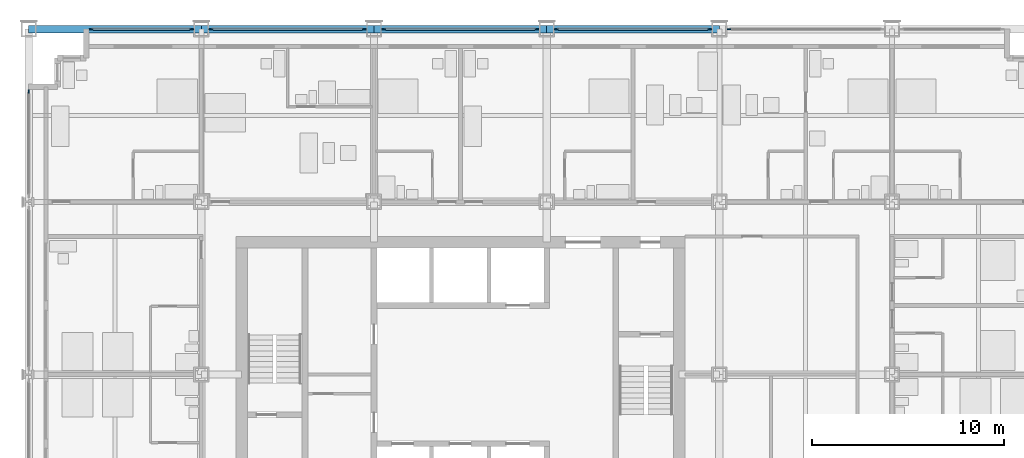
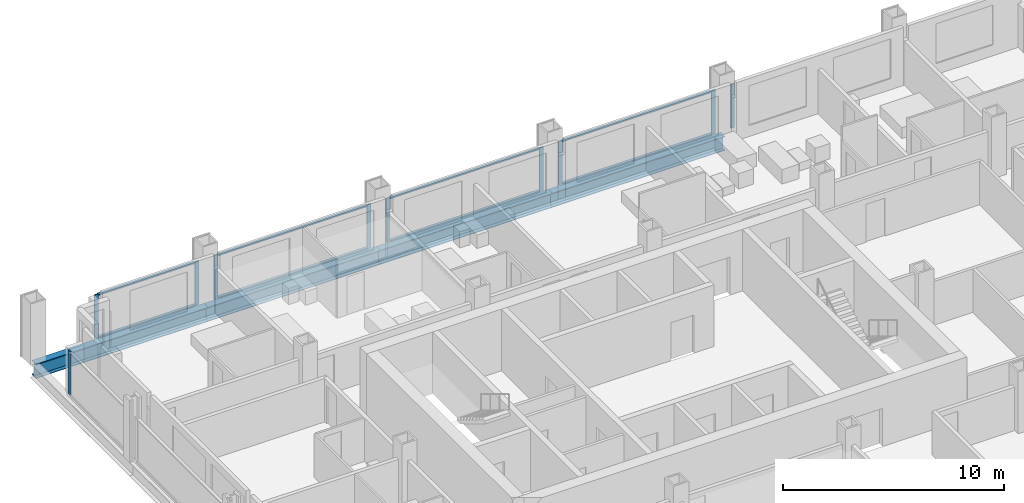
# One storey, part 7 of 18: 18 members, 4 beams, 6 elements without a shape of their own.
"""IFC4 building model written with IfcOpenShell, lengths in metres."""

from ifc_helpers import new_model, si_unit, direction, frame, origin, origin_2d, place, context, subcontext, project, spatial, rectangle, i_section, extrude, material, material_profile, profile_set, type_object, element, aggregate, save


model = new_model("IFC4")

# Units and contexts
model_context = context("Model", 3, precision=1e-05, world=origin(), true_north=direction((0.0, 1.0)))
body_context = subcontext(model_context, "Body", "Model", "MODEL_VIEW")
ifc_project = project(units=[si_unit("LENGTHUNIT", "METRE"), si_unit("AREAUNIT", "SQUARE_METRE"), si_unit("VOLUMEUNIT", "CUBIC_METRE"), si_unit("PLANEANGLEUNIT", "RADIAN"), si_unit("MASSUNIT", "GRAM", prefix="KILO")], contexts=[model_context])

# Site, building, storey
site_placement = place(None, origin())
site = spatial("IfcSite", under=ifc_project, at=site_placement, CompositionType="ELEMENT")
building_placement = place(site_placement, origin())
building = spatial("IfcBuilding", under=site, at=building_placement, Name="Loomwork Tower", CompositionType="ELEMENT")
storey_placement = place(building_placement, frame((0.0, 0.0, 79.0)))
storey = spatial("IfcBuildingStorey", under=building, at=storey_placement, Name="L20", CompositionType="ELEMENT", Elevation=79.0)

# Curtain wall, members
ifc_material_1 = material(Name="Aluminium curtain wall frame", Category="aluminium")
curtain_wall_type = type_object("IfcCurtainWallType", Name="Outer skin glazing hotel", PredefinedType="NOTDEFINED", material=ifc_material_1)
curtain_wall_1_placement = place(storey_placement, origin())
curtain_wall_1 = element("IfcCurtainWall", 1, at=curtain_wall_1_placement, inside=storey, type_object=curtain_wall_type, Name="Outer skin glazing hotel cw/N-0", PredefinedType="NOTDEFINED")
ifc_material_2 = material(Name="Aluminium curtain wall frame", Category="aluminium")
ifc_material_profile_1 = material_profile(ifc_material_2, rectangle(XDim=0.06494140625, YDim=0.199951171875, at=origin_2d()), Name="AL 65x200")
ifc_profile_set_1 = profile_set([ifc_material_profile_1], Name="Aluminium curtain wall frame")
member_type_1 = type_object("IfcMemberType", Name="Outer skin glazing hotel mullion", PredefinedType="MULLION", material=ifc_profile_set_1)
member_1_placement = place(storey_placement, frame((8.5, 36.0, 0.0), z_axis=(0.0, 0.0, 1.0), x_axis=(0.0, -1.0, 0.0)))
member_1 = element("IfcMember", 2, at=member_1_placement, type_object=member_type_1, Name="CW1 mullion 1", PredefinedType="MULLION", context=body_context, shape_type="SweptSolid", body=[
    extrude(rectangle(XDim=0.06494140625, YDim=0.199951171875, at=origin_2d()), origin(), (0.0, 0.0, 1.0), 2.420166015625),
])
member_2_placement = place(storey_placement, frame((3.25, 36.0, 0.0), z_axis=(0.0, 0.0, 1.0), x_axis=(0.0, -1.0, 0.0)))
member_2 = element("IfcMember", 3, at=member_2_placement, type_object=member_type_1, Name="CW1 mullion 2", PredefinedType="MULLION", context=body_context, shape_type="SweptSolid", body=[
    extrude(rectangle(XDim=0.06494140625, YDim=0.199951171875, at=origin_2d()), origin(), (0.0, 0.0, 1.0), 2.420166015625),
])

curtain_wall_2_placement = place(storey_placement, origin())
curtain_wall_2 = element("IfcCurtainWall", 4, at=curtain_wall_2_placement, inside=storey, type_object=curtain_wall_type, Name="Outer skin glazing hotel cw/N-9", PredefinedType="NOTDEFINED")
member_3_placement = place(storey_placement, frame((17.5, 36.0, 0.0), z_axis=(0.0, 0.0, 1.0), x_axis=(0.0, -1.0, 0.0)))
member_3 = element("IfcMember", 5, at=member_3_placement, type_object=member_type_1, Name="CW1 mullion 1", PredefinedType="MULLION", context=body_context, shape_type="SweptSolid", body=[
    extrude(rectangle(XDim=0.06494140625, YDim=0.199951171875, at=origin_2d()), origin(), (0.0, 0.0, 1.0), 2.420166015625),
])
member_4_placement = place(storey_placement, frame((9.5, 36.0, 0.0), z_axis=(0.0, 0.0, 1.0), x_axis=(0.0, -1.0, 0.0)))
member_4 = element("IfcMember", 6, at=member_4_placement, type_object=member_type_1, Name="CW1 mullion 2", PredefinedType="MULLION", context=body_context, shape_type="SweptSolid", body=[
    extrude(rectangle(XDim=0.06494140625, YDim=0.199951171875, at=origin_2d()), origin(), (0.0, 0.0, 1.0), 2.420166015625),
])

curtain_wall_3_placement = place(storey_placement, origin())
curtain_wall_3 = element("IfcCurtainWall", 7, at=curtain_wall_3_placement, inside=storey, type_object=curtain_wall_type, Name="Outer skin glazing hotel cw/N-18", PredefinedType="NOTDEFINED")
member_5_placement = place(storey_placement, frame((26.5, 36.0, 0.0), z_axis=(0.0, 0.0, 1.0), x_axis=(0.0, -1.0, 0.0)))
member_5 = element("IfcMember", 8, at=member_5_placement, type_object=member_type_1, Name="CW1 mullion 1", PredefinedType="MULLION", context=body_context, shape_type="SweptSolid", body=[
    extrude(rectangle(XDim=0.06494140625, YDim=0.199951171875, at=origin_2d()), origin(), (0.0, 0.0, 1.0), 2.420166015625),
])
member_6_placement = place(storey_placement, frame((18.5, 36.0, 0.0), z_axis=(0.0, 0.0, 1.0), x_axis=(0.0, -1.0, 0.0)))
member_6 = element("IfcMember", 9, at=member_6_placement, type_object=member_type_1, Name="CW1 mullion 2", PredefinedType="MULLION", context=body_context, shape_type="SweptSolid", body=[
    extrude(rectangle(XDim=0.06494140625, YDim=0.199951171875, at=origin_2d()), origin(), (0.0, 0.0, 1.0), 2.420166015625),
])

curtain_wall_4_placement = place(storey_placement, origin())
curtain_wall_4 = element("IfcCurtainWall", 10, at=curtain_wall_4_placement, inside=storey, type_object=curtain_wall_type, Name="Outer skin glazing hotel cw/N-27", PredefinedType="NOTDEFINED")
member_7_placement = place(storey_placement, frame((35.5, 36.0, 0.0), z_axis=(0.0, 0.0, 1.0), x_axis=(0.0, -1.0, 0.0)))
member_7 = element("IfcMember", 11, at=member_7_placement, type_object=member_type_1, Name="CW1 mullion 1", PredefinedType="MULLION", context=body_context, shape_type="SweptSolid", body=[
    extrude(rectangle(XDim=0.06494140625, YDim=0.199951171875, at=origin_2d()), origin(), (0.0, 0.0, 1.0), 2.420166015625),
])
member_8_placement = place(storey_placement, frame((27.5, 36.0, 0.0), z_axis=(0.0, 0.0, 1.0), x_axis=(0.0, -1.0, 0.0)))
member_8 = element("IfcMember", 12, at=member_8_placement, type_object=member_type_1, Name="CW1 mullion 2", PredefinedType="MULLION", context=body_context, shape_type="SweptSolid", body=[
    extrude(rectangle(XDim=0.06494140625, YDim=0.199951171875, at=origin_2d()), origin(), (0.0, 0.0, 1.0), 2.420166015625),
])

# Curtain wall, member
curtain_wall_5_placement = place(storey_placement, origin())
curtain_wall_5 = element("IfcCurtainWall", 13, at=curtain_wall_5_placement, inside=storey, type_object=curtain_wall_type, Name="Outer skin glazing hotel cw/N-36", PredefinedType="NOTDEFINED")
member_9_placement = place(storey_placement, frame((36.5, 36.0, 0.0), z_axis=(0.0, 0.0, 1.0), x_axis=(0.0, -1.0, 0.0)))
member_9 = element("IfcMember", 14, at=member_9_placement, type_object=member_type_1, Name="CW1 mullion 2", PredefinedType="MULLION", context=body_context, shape_type="SweptSolid", body=[
    extrude(rectangle(XDim=0.06494140625, YDim=0.199951171875, at=origin_2d()), origin(), (0.0, 0.0, 1.0), 2.420166015625),
])
aggregate(curtain_wall_5, [member_9])

curtain_wall_6_placement = place(storey_placement, origin())
curtain_wall_6 = element("IfcCurtainWall", 15, at=curtain_wall_6_placement, inside=storey, type_object=curtain_wall_type, Name="Outer skin glazing hotel cw/W-27", PredefinedType="NOTDEFINED")
member_10_placement = place(storey_placement, frame((0.0, 32.75, 0.0), z_axis=(0.0, 0.0, 1.0), x_axis=(1.0, 0.0, 0.0)))
member_10 = element("IfcMember", 16, at=member_10_placement, type_object=member_type_1, Name="CW1 mullion 1", PredefinedType="MULLION", context=body_context, shape_type="SweptSolid", body=[
    extrude(rectangle(XDim=0.06494140625, YDim=0.199951171875, at=origin_2d()), origin(), (0.0, 0.0, 1.0), 2.420166015625),
])
aggregate(curtain_wall_6, [member_10])

# Member
ifc_material_3 = material(Name="Aluminium curtain wall frame", Category="aluminium")
ifc_material_profile_2 = material_profile(ifc_material_3, rectangle(XDim=0.14990234375, YDim=0.06494140625, at=origin_2d()), Name="AL 65x150")
ifc_profile_set_2 = profile_set([ifc_material_profile_2], Name="Aluminium curtain wall frame")
member_type_2 = type_object("IfcMemberType", Name="Outer skin glazing hotel transom", PredefinedType="USERDEFINED", material=ifc_profile_set_2)
member_11_placement = place(storey_placement, frame((8.39990234375, 36.0, 0.032470703125), z_axis=(-1.0, 0.0, 0.0), x_axis=(0.0, -1.0, 0.0)))
member_11 = element("IfcMember", 17, at=member_11_placement, type_object=member_type_2, Name="CW1 transom 1.1", ObjectType="TRANSOM", PredefinedType="USERDEFINED", context=body_context, shape_type="SweptSolid", body=[
    extrude(rectangle(XDim=0.14990234375, YDim=0.06494140625, at=origin_2d()), origin(), (0.0, 0.0, 1.0), 5.0498046875),
])

member_12_placement = place(storey_placement, frame((8.39990234375, 36.0, 2.3876953125), z_axis=(-1.0, 0.0, 0.0), x_axis=(0.0, -1.0, 0.0)))
member_12 = element("IfcMember", 18, at=member_12_placement, type_object=member_type_2, Name="CW1 transom 1.2", ObjectType="TRANSOM", PredefinedType="USERDEFINED", context=body_context, shape_type="SweptSolid", body=[
    extrude(rectangle(XDim=0.14990234375, YDim=0.06494140625, at=origin_2d()), origin(), (0.0, 0.0, 1.0), 5.0498046875),
])

aggregate(curtain_wall_1, [member_1, member_2, member_11, member_12])

member_13_placement = place(storey_placement, frame((17.39990234375, 36.0, 0.032470703125), z_axis=(-1.0, 0.0, 0.0), x_axis=(0.0, -1.0, 0.0)))
member_13 = element("IfcMember", 19, at=member_13_placement, type_object=member_type_2, Name="CW1 transom 1.1", ObjectType="TRANSOM", PredefinedType="USERDEFINED", context=body_context, shape_type="SweptSolid", body=[
    extrude(rectangle(XDim=0.14990234375, YDim=0.06494140625, at=origin_2d()), origin(), (0.0, 0.0, 1.0), 7.7998046875),
])

member_14_placement = place(storey_placement, frame((17.39990234375, 36.0, 2.3876953125), z_axis=(-1.0, 0.0, 0.0), x_axis=(0.0, -1.0, 0.0)))
member_14 = element("IfcMember", 20, at=member_14_placement, type_object=member_type_2, Name="CW1 transom 1.2", ObjectType="TRANSOM", PredefinedType="USERDEFINED", context=body_context, shape_type="SweptSolid", body=[
    extrude(rectangle(XDim=0.14990234375, YDim=0.06494140625, at=origin_2d()), origin(), (0.0, 0.0, 1.0), 7.7998046875),
])

aggregate(curtain_wall_2, [member_3, member_4, member_13, member_14])

member_15_placement = place(storey_placement, frame((26.39990234375, 36.0, 0.032470703125), z_axis=(-1.0, 0.0, 0.0), x_axis=(0.0, -1.0, 0.0)))
member_15 = element("IfcMember", 21, at=member_15_placement, type_object=member_type_2, Name="CW1 transom 1.1", ObjectType="TRANSOM", PredefinedType="USERDEFINED", context=body_context, shape_type="SweptSolid", body=[
    extrude(rectangle(XDim=0.14990234375, YDim=0.06494140625, at=origin_2d()), origin(), (0.0, 0.0, 1.0), 7.7998046875),
])

member_16_placement = place(storey_placement, frame((26.39990234375, 36.0, 2.3876953125), z_axis=(-1.0, 0.0, 0.0), x_axis=(0.0, -1.0, 0.0)))
member_16 = element("IfcMember", 22, at=member_16_placement, type_object=member_type_2, Name="CW1 transom 1.2", ObjectType="TRANSOM", PredefinedType="USERDEFINED", context=body_context, shape_type="SweptSolid", body=[
    extrude(rectangle(XDim=0.14990234375, YDim=0.06494140625, at=origin_2d()), origin(), (0.0, 0.0, 1.0), 7.7998046875),
])

aggregate(curtain_wall_3, [member_5, member_6, member_15, member_16])

member_17_placement = place(storey_placement, frame((35.39990234375, 36.0, 0.032470703125), z_axis=(-1.0, 0.0, 0.0), x_axis=(0.0, -1.0, 0.0)))
member_17 = element("IfcMember", 23, at=member_17_placement, type_object=member_type_2, Name="CW1 transom 1.1", ObjectType="TRANSOM", PredefinedType="USERDEFINED", context=body_context, shape_type="SweptSolid", body=[
    extrude(rectangle(XDim=0.14990234375, YDim=0.06494140625, at=origin_2d()), origin(), (0.0, 0.0, 1.0), 7.7998046875),
])

member_18_placement = place(storey_placement, frame((35.39990234375, 36.0, 2.3876953125), z_axis=(-1.0, 0.0, 0.0), x_axis=(0.0, -1.0, 0.0)))
member_18 = element("IfcMember", 24, at=member_18_placement, type_object=member_type_2, Name="CW1 transom 1.2", ObjectType="TRANSOM", PredefinedType="USERDEFINED", context=body_context, shape_type="SweptSolid", body=[
    extrude(rectangle(XDim=0.14990234375, YDim=0.06494140625, at=origin_2d()), origin(), (0.0, 0.0, 1.0), 7.7998046875),
])

aggregate(curtain_wall_4, [member_7, member_8, member_17, member_18])

# Beams
ifc_material_4 = material(Name="Steel ASTM A992", Category="steel")
ifc_material_profile_3 = material_profile(ifc_material_4, i_section(OverallWidth=0.381103515625, OverallDepth=0.77978515625, WebThickness=0.01806640625, FlangeThickness=0.0302734375, at=origin_2d()), Name="W30x191")
ifc_profile_set_3 = profile_set([ifc_material_profile_3], Name="Steel ASTM A992")
beam_type = type_object("IfcBeamType", Name="SPANDREL GIRDER W30x191", PredefinedType="SPANDREL", material=ifc_profile_set_3)
for number, where, z_axis, x_axis, name in (
    (25, (0.0, 36.0, -0.58984375), (1.0, 0.0, 0.0), (0.0, 1.0, 0.0), "Spandrel Girder H/2-H/3 L20"),
    (26, (9.0, 36.0, -0.58984375), (1.0, 0.0, 0.0), (0.0, 1.0, 0.0), "Spandrel Girder H/3-H/4 L20"),
    (27, (18.0, 36.0, -0.58984375), (1.0, 0.0, 0.0), (0.0, 1.0, 0.0), "Spandrel Girder H/4-H/5 L20"),
    (28, (27.0, 36.0, -0.58984375), (1.0, 0.0, 0.0), (0.0, 1.0, 0.0), "Spandrel Girder H/5-H/6 L20"),
):
    element("IfcBeam", number, at=place(storey_placement, frame(where, z_axis=z_axis, x_axis=x_axis)), inside=storey, type_object=beam_type, Name=name, PredefinedType="SPANDREL", context=body_context, shape_type="SweptSolid", body=[
        extrude(i_section(OverallWidth=0.381103515625, OverallDepth=0.77978515625, WebThickness=0.01806640625, FlangeThickness=0.0302734375, at=origin_2d()), origin(), (0.0, 0.0, 1.0), 9.0),
    ])

save(model, "model.ifc")
